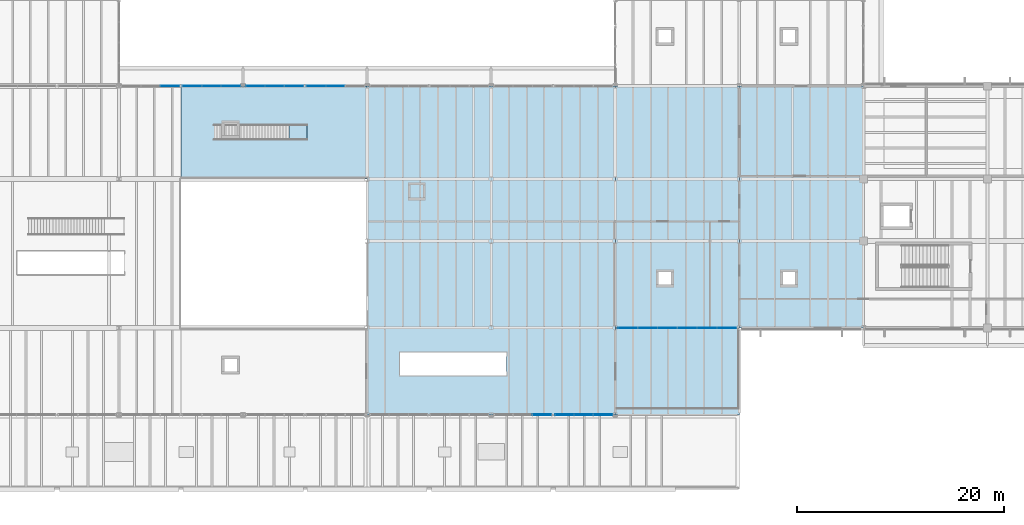
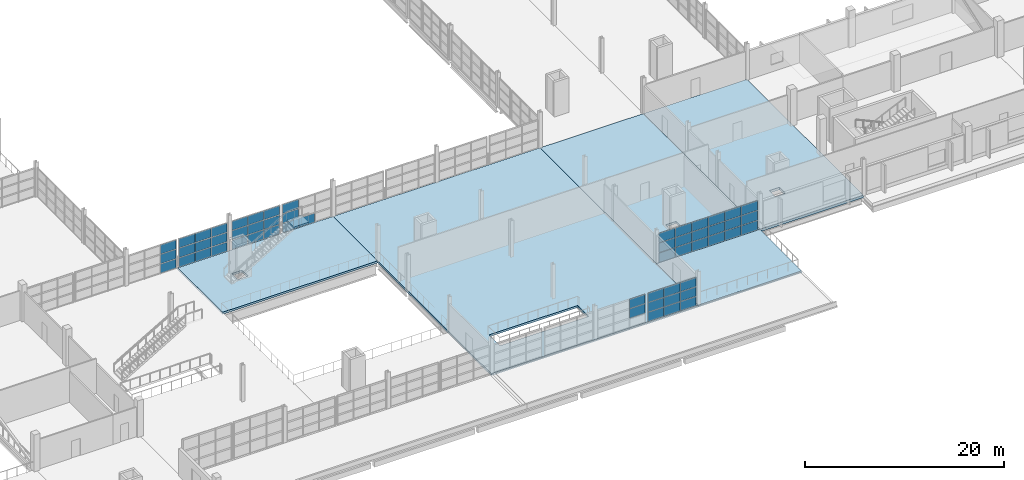
# One storey, part 79 of 114: 54 plates, 6 slabs, 8 elements without a shape of their own.
"""IFC4 building model written with IfcOpenShell, lengths in metres."""

from ifc_helpers import new_model, si_unit, direction, frame, origin, origin_2d, place, context, subcontext, project, spatial, polyline, rectangle, outline, extrude, material, layer, layer_set, type_object, element, aggregate, save


model = new_model("IFC4")

# Units and contexts
model_context = context("Model", 3, precision=1e-05, world=origin(), true_north=direction((0.0, 1.0)))
body_context = subcontext(model_context, "Body", "Model", "MODEL_VIEW")
ifc_project = project(units=[si_unit("LENGTHUNIT", "METRE"), si_unit("AREAUNIT", "SQUARE_METRE"), si_unit("VOLUMEUNIT", "CUBIC_METRE"), si_unit("PLANEANGLEUNIT", "RADIAN"), si_unit("MASSUNIT", "GRAM", prefix="KILO")], contexts=[model_context])

# Site, building, storey
site_placement = place(None, origin())
site = spatial("IfcSite", under=ifc_project, at=site_placement, CompositionType="ELEMENT")
building_placement = place(site_placement, origin())
building = spatial("IfcBuilding", under=site, at=building_placement, Name="Kelmvaro Bay Concert Hall", CompositionType="ELEMENT")
storey_placement = place(building_placement, frame((0.0, 0.0, 4.800048828125)))
storey = spatial("IfcBuildingStorey", under=building, at=storey_placement, Name="L01", CompositionType="ELEMENT", Elevation=4.800048828125)

# Curtain wall, plates
ifc_material_1 = material(Name="Anodised Aluminium and Low-E Insulated Glazing", Category="aluminium")
curtain_wall_type = type_object("IfcCurtainWallType", Name="Mezzanine Concourse Curtain Wall 4100", PredefinedType="USERDEFINED", material=ifc_material_1)
curtain_wall_1_placement = place(storey_placement, origin())
curtain_wall_1 = element("IfcCurtainWall", 1, at=curtain_wall_1_placement, inside=storey, type_object=curtain_wall_type, Name="Unitised Curtain Wall CW-L01-068", ObjectType="UNITISED GLAZING", PredefinedType="USERDEFINED")
ifc_material_2 = material(Name="Laminated Low-E Insulated Glass", Category="glass")
ifc_layer_1 = layer(ifc_material_2, 1.85009765625)
ifc_layer_set_1 = layer_set([ifc_layer_1], Name="Laminated Low-E Insulated Glass")
plate_type_1 = type_object("IfcPlateType", Name="Courtyard Clear Low-E Glazing Panel 22", PredefinedType="CURTAIN_PANEL", material=ifc_layer_set_1)
plate_1_placement = place(storey_placement, frame((64.92578125, 39.0, 0.0322265625), z_axis=(0.0, 0.0, 1.0), x_axis=(1.0, 0.0, 0.0)))
plate_1 = element("IfcPlate", 2, at=plate_1_placement, type_object=plate_type_1, Name="CW-L01-068 Insulated Glazing Panel 03-1", PredefinedType="CURTAIN_PANEL", context=body_context, shape_type="SweptSolid", body=[
    extrude(rectangle(XDim=1.803466796875, YDim=0.02197265625, at=origin_2d()), origin(), (0.0, 0.0, 1.0), 1.114013671875),
])
plate_2_placement = place(storey_placement, frame((64.92578125, 39.0, 1.21142578125), z_axis=(0.0, 0.0, 1.0), x_axis=(1.0, 0.0, 0.0)))
plate_2 = element("IfcPlate", 3, at=plate_2_placement, type_object=plate_type_1, Name="CW-L01-068 Insulated Glazing Panel 03-2", PredefinedType="CURTAIN_PANEL", context=body_context, shape_type="SweptSolid", body=[
    extrude(rectangle(XDim=1.803466796875, YDim=0.02197265625, at=origin_2d()), origin(), (0.0, 0.0, 1.0), 1.114013671875),
])
plate_3_placement = place(storey_placement, frame((64.92578125, 39.0, 2.390625), z_axis=(0.0, 0.0, 1.0), x_axis=(1.0, 0.0, 0.0)))
plate_3 = element("IfcPlate", 4, at=plate_3_placement, type_object=plate_type_1, Name="CW-L01-068 Insulated Glazing Panel 03-3", PredefinedType="CURTAIN_PANEL", context=body_context, shape_type="SweptSolid", body=[
    extrude(rectangle(XDim=1.803466796875, YDim=0.02197265625, at=origin_2d()), origin(), (0.0, 0.0, 1.0), 1.114013671875),
])
aggregate(curtain_wall_1, [plate_1, plate_2, plate_3])

curtain_wall_2_placement = place(storey_placement, origin())
curtain_wall_2 = element("IfcCurtainWall", 5, at=curtain_wall_2_placement, inside=storey, type_object=curtain_wall_type, Name="Unitised Curtain Wall CW-L01-069", ObjectType="UNITISED GLAZING", PredefinedType="USERDEFINED")
plate_4_placement = place(storey_placement, frame((67.07421875, 39.0, 0.0322265625), z_axis=(0.0, 0.0, 1.0), x_axis=(1.0, 0.0, 0.0)))
plate_4 = element("IfcPlate", 6, at=plate_4_placement, type_object=plate_type_1, Name="CW-L01-069 Insulated Glazing Panel 01-1", PredefinedType="CURTAIN_PANEL", context=body_context, shape_type="SweptSolid", body=[
    extrude(rectangle(XDim=1.803466796875, YDim=0.02197265625, at=origin_2d()), origin(), (0.0, 0.0, 1.0), 1.114013671875),
])
plate_5_placement = place(storey_placement, frame((67.07421875, 39.0, 1.21142578125), z_axis=(0.0, 0.0, 1.0), x_axis=(1.0, 0.0, 0.0)))
plate_5 = element("IfcPlate", 7, at=plate_5_placement, type_object=plate_type_1, Name="CW-L01-069 Insulated Glazing Panel 01-2", PredefinedType="CURTAIN_PANEL", context=body_context, shape_type="SweptSolid", body=[
    extrude(rectangle(XDim=1.803466796875, YDim=0.02197265625, at=origin_2d()), origin(), (0.0, 0.0, 1.0), 1.114013671875),
])
plate_6_placement = place(storey_placement, frame((67.07421875, 39.0, 2.390625), z_axis=(0.0, 0.0, 1.0), x_axis=(1.0, 0.0, 0.0)))
plate_6 = element("IfcPlate", 8, at=plate_6_placement, type_object=plate_type_1, Name="CW-L01-069 Insulated Glazing Panel 01-3", PredefinedType="CURTAIN_PANEL", context=body_context, shape_type="SweptSolid", body=[
    extrude(rectangle(XDim=1.803466796875, YDim=0.02197265625, at=origin_2d()), origin(), (0.0, 0.0, 1.0), 1.114013671875),
])
plate_7_placement = place(storey_placement, frame((68.94287109375, 39.0, 0.0322265625), z_axis=(0.0, 0.0, 1.0), x_axis=(1.0, 0.0, 0.0)))
plate_7 = element("IfcPlate", 9, at=plate_7_placement, type_object=plate_type_1, Name="CW-L01-069 Insulated Glazing Panel 02-1", PredefinedType="CURTAIN_PANEL", context=body_context, shape_type="SweptSolid", body=[
    extrude(rectangle(XDim=1.803466796875, YDim=0.02197265625, at=origin_2d()), origin(), (0.0, 0.0, 1.0), 1.114013671875),
])
plate_8_placement = place(storey_placement, frame((68.94287109375, 39.0, 1.21142578125), z_axis=(0.0, 0.0, 1.0), x_axis=(1.0, 0.0, 0.0)))
plate_8 = element("IfcPlate", 10, at=plate_8_placement, type_object=plate_type_1, Name="CW-L01-069 Insulated Glazing Panel 02-2", PredefinedType="CURTAIN_PANEL", context=body_context, shape_type="SweptSolid", body=[
    extrude(rectangle(XDim=1.803466796875, YDim=0.02197265625, at=origin_2d()), origin(), (0.0, 0.0, 1.0), 1.114013671875),
])
plate_9_placement = place(storey_placement, frame((68.94287109375, 39.0, 2.390625), z_axis=(0.0, 0.0, 1.0), x_axis=(1.0, 0.0, 0.0)))
plate_9 = element("IfcPlate", 11, at=plate_9_placement, type_object=plate_type_1, Name="CW-L01-069 Insulated Glazing Panel 02-3", PredefinedType="CURTAIN_PANEL", context=body_context, shape_type="SweptSolid", body=[
    extrude(rectangle(XDim=1.803466796875, YDim=0.02197265625, at=origin_2d()), origin(), (0.0, 0.0, 1.0), 1.114013671875),
])
plate_10_placement = place(storey_placement, frame((70.811279296875, 39.0, 0.0322265625), z_axis=(0.0, 0.0, 1.0), x_axis=(1.0, 0.0, 0.0)))
plate_10 = element("IfcPlate", 12, at=plate_10_placement, type_object=plate_type_1, Name="CW-L01-069 Insulated Glazing Panel 03-1", PredefinedType="CURTAIN_PANEL", context=body_context, shape_type="SweptSolid", body=[
    extrude(rectangle(XDim=1.803466796875, YDim=0.02197265625, at=origin_2d()), origin(), (0.0, 0.0, 1.0), 1.114013671875),
])
plate_11_placement = place(storey_placement, frame((70.811279296875, 39.0, 1.21142578125), z_axis=(0.0, 0.0, 1.0), x_axis=(1.0, 0.0, 0.0)))
plate_11 = element("IfcPlate", 13, at=plate_11_placement, type_object=plate_type_1, Name="CW-L01-069 Insulated Glazing Panel 03-2", PredefinedType="CURTAIN_PANEL", context=body_context, shape_type="SweptSolid", body=[
    extrude(rectangle(XDim=1.803466796875, YDim=0.02197265625, at=origin_2d()), origin(), (0.0, 0.0, 1.0), 1.114013671875),
])
plate_12_placement = place(storey_placement, frame((70.811279296875, 39.0, 2.390625), z_axis=(0.0, 0.0, 1.0), x_axis=(1.0, 0.0, 0.0)))
plate_12 = element("IfcPlate", 14, at=plate_12_placement, type_object=plate_type_1, Name="CW-L01-069 Insulated Glazing Panel 03-3", PredefinedType="CURTAIN_PANEL", context=body_context, shape_type="SweptSolid", body=[
    extrude(rectangle(XDim=1.803466796875, YDim=0.02197265625, at=origin_2d()), origin(), (0.0, 0.0, 1.0), 1.114013671875),
])
aggregate(curtain_wall_2, [plate_4, plate_5, plate_6, plate_7, plate_8, plate_9, plate_10, plate_11, plate_12])

curtain_wall_3_placement = place(storey_placement, origin())
curtain_wall_3 = element("IfcCurtainWall", 15, at=curtain_wall_3_placement, inside=storey, type_object=curtain_wall_type, Name="Unitised Curtain Wall CW-L01-070", ObjectType="UNITISED GLAZING", PredefinedType="USERDEFINED")
plate_13_placement = place(storey_placement, frame((73.188720703125, 39.0, 0.0322265625), z_axis=(0.0, 0.0, 1.0), x_axis=(1.0, 0.0, 0.0)))
plate_13 = element("IfcPlate", 16, at=plate_13_placement, type_object=plate_type_1, Name="CW-L01-070 Insulated Glazing Panel 01-1", PredefinedType="CURTAIN_PANEL", context=body_context, shape_type="SweptSolid", body=[
    extrude(rectangle(XDim=1.803466796875, YDim=0.02197265625, at=origin_2d()), origin(), (0.0, 0.0, 1.0), 1.114013671875),
])
plate_14_placement = place(storey_placement, frame((73.188720703125, 39.0, 1.21142578125), z_axis=(0.0, 0.0, 1.0), x_axis=(1.0, 0.0, 0.0)))
plate_14 = element("IfcPlate", 17, at=plate_14_placement, type_object=plate_type_1, Name="CW-L01-070 Insulated Glazing Panel 01-2", PredefinedType="CURTAIN_PANEL", context=body_context, shape_type="SweptSolid", body=[
    extrude(rectangle(XDim=1.803466796875, YDim=0.02197265625, at=origin_2d()), origin(), (0.0, 0.0, 1.0), 1.114013671875),
])
plate_15_placement = place(storey_placement, frame((73.188720703125, 39.0, 2.390625), z_axis=(0.0, 0.0, 1.0), x_axis=(1.0, 0.0, 0.0)))
plate_15 = element("IfcPlate", 18, at=plate_15_placement, type_object=plate_type_1, Name="CW-L01-070 Insulated Glazing Panel 01-3", PredefinedType="CURTAIN_PANEL", context=body_context, shape_type="SweptSolid", body=[
    extrude(rectangle(XDim=1.803466796875, YDim=0.02197265625, at=origin_2d()), origin(), (0.0, 0.0, 1.0), 1.114013671875),
])
plate_16_placement = place(storey_placement, frame((75.05712890625, 39.0, 0.0322265625), z_axis=(0.0, 0.0, 1.0), x_axis=(1.0, 0.0, 0.0)))
plate_16 = element("IfcPlate", 19, at=plate_16_placement, type_object=plate_type_1, Name="CW-L01-070 Insulated Glazing Panel 02-1", PredefinedType="CURTAIN_PANEL", context=body_context, shape_type="SweptSolid", body=[
    extrude(rectangle(XDim=1.803466796875, YDim=0.02197265625, at=origin_2d()), origin(), (0.0, 0.0, 1.0), 1.114013671875),
])
plate_17_placement = place(storey_placement, frame((75.05712890625, 39.0, 1.21142578125), z_axis=(0.0, 0.0, 1.0), x_axis=(1.0, 0.0, 0.0)))
plate_17 = element("IfcPlate", 20, at=plate_17_placement, type_object=plate_type_1, Name="CW-L01-070 Insulated Glazing Panel 02-2", PredefinedType="CURTAIN_PANEL", context=body_context, shape_type="SweptSolid", body=[
    extrude(rectangle(XDim=1.803466796875, YDim=0.02197265625, at=origin_2d()), origin(), (0.0, 0.0, 1.0), 1.114013671875),
])
plate_18_placement = place(storey_placement, frame((75.05712890625, 39.0, 2.390625), z_axis=(0.0, 0.0, 1.0), x_axis=(1.0, 0.0, 0.0)))
plate_18 = element("IfcPlate", 21, at=plate_18_placement, type_object=plate_type_1, Name="CW-L01-070 Insulated Glazing Panel 02-3", PredefinedType="CURTAIN_PANEL", context=body_context, shape_type="SweptSolid", body=[
    extrude(rectangle(XDim=1.803466796875, YDim=0.02197265625, at=origin_2d()), origin(), (0.0, 0.0, 1.0), 1.114013671875),
])
plate_19_placement = place(storey_placement, frame((76.92578125, 39.0, 0.0322265625), z_axis=(0.0, 0.0, 1.0), x_axis=(1.0, 0.0, 0.0)))
plate_19 = element("IfcPlate", 22, at=plate_19_placement, type_object=plate_type_1, Name="CW-L01-070 Insulated Glazing Panel 03-1", PredefinedType="CURTAIN_PANEL", context=body_context, shape_type="SweptSolid", body=[
    extrude(rectangle(XDim=1.803466796875, YDim=0.02197265625, at=origin_2d()), origin(), (0.0, 0.0, 1.0), 1.114013671875),
])
plate_20_placement = place(storey_placement, frame((76.92578125, 39.0, 1.21142578125), z_axis=(0.0, 0.0, 1.0), x_axis=(1.0, 0.0, 0.0)))
plate_20 = element("IfcPlate", 23, at=plate_20_placement, type_object=plate_type_1, Name="CW-L01-070 Insulated Glazing Panel 03-2", PredefinedType="CURTAIN_PANEL", context=body_context, shape_type="SweptSolid", body=[
    extrude(rectangle(XDim=1.803466796875, YDim=0.02197265625, at=origin_2d()), origin(), (0.0, 0.0, 1.0), 1.114013671875),
])
plate_21_placement = place(storey_placement, frame((76.92578125, 39.0, 2.390625), z_axis=(0.0, 0.0, 1.0), x_axis=(1.0, 0.0, 0.0)))
plate_21 = element("IfcPlate", 24, at=plate_21_placement, type_object=plate_type_1, Name="CW-L01-070 Insulated Glazing Panel 03-3", PredefinedType="CURTAIN_PANEL", context=body_context, shape_type="SweptSolid", body=[
    extrude(rectangle(XDim=1.803466796875, YDim=0.02197265625, at=origin_2d()), origin(), (0.0, 0.0, 1.0), 1.114013671875),
])
aggregate(curtain_wall_3, [plate_13, plate_14, plate_15, plate_16, plate_17, plate_18, plate_19, plate_20, plate_21])

curtain_wall_4_placement = place(storey_placement, origin())
curtain_wall_4 = element("IfcCurtainWall", 25, at=curtain_wall_4_placement, inside=storey, type_object=curtain_wall_type, Name="Unitised Curtain Wall CW-L01-071", ObjectType="UNITISED GLAZING", PredefinedType="USERDEFINED")
plate_22_placement = place(storey_placement, frame((79.07421875, 39.0, 0.0322265625), z_axis=(0.0, 0.0, 1.0), x_axis=(1.0, 0.0, 0.0)))
plate_22 = element("IfcPlate", 26, at=plate_22_placement, type_object=plate_type_1, Name="CW-L01-071 Insulated Glazing Panel 01-1", PredefinedType="CURTAIN_PANEL", context=body_context, shape_type="SweptSolid", body=[
    extrude(rectangle(XDim=1.803466796875, YDim=0.02197265625, at=origin_2d()), origin(), (0.0, 0.0, 1.0), 1.114013671875),
])
plate_23_placement = place(storey_placement, frame((79.07421875, 39.0, 1.21142578125), z_axis=(0.0, 0.0, 1.0), x_axis=(1.0, 0.0, 0.0)))
plate_23 = element("IfcPlate", 27, at=plate_23_placement, type_object=plate_type_1, Name="CW-L01-071 Insulated Glazing Panel 01-2", PredefinedType="CURTAIN_PANEL", context=body_context, shape_type="SweptSolid", body=[
    extrude(rectangle(XDim=1.803466796875, YDim=0.02197265625, at=origin_2d()), origin(), (0.0, 0.0, 1.0), 1.114013671875),
])
plate_24_placement = place(storey_placement, frame((79.07421875, 39.0, 2.390625), z_axis=(0.0, 0.0, 1.0), x_axis=(1.0, 0.0, 0.0)))
plate_24 = element("IfcPlate", 28, at=plate_24_placement, type_object=plate_type_1, Name="CW-L01-071 Insulated Glazing Panel 01-3", PredefinedType="CURTAIN_PANEL", context=body_context, shape_type="SweptSolid", body=[
    extrude(rectangle(XDim=1.803466796875, YDim=0.02197265625, at=origin_2d()), origin(), (0.0, 0.0, 1.0), 1.114013671875),
])
plate_25_placement = place(storey_placement, frame((80.94287109375, 39.0, 0.0322265625), z_axis=(0.0, 0.0, 1.0), x_axis=(1.0, 0.0, 0.0)))
plate_25 = element("IfcPlate", 29, at=plate_25_placement, type_object=plate_type_1, Name="CW-L01-071 Insulated Glazing Panel 02-1", PredefinedType="CURTAIN_PANEL", context=body_context, shape_type="SweptSolid", body=[
    extrude(rectangle(XDim=1.803466796875, YDim=0.02197265625, at=origin_2d()), origin(), (0.0, 0.0, 1.0), 1.114013671875),
])
aggregate(curtain_wall_4, [plate_22, plate_23, plate_24, plate_25])

curtain_wall_5_placement = place(storey_placement, origin())
curtain_wall_5 = element("IfcCurtainWall", 30, at=curtain_wall_5_placement, inside=storey, type_object=curtain_wall_type, Name="Unitised Curtain Wall CW-L01-065", ObjectType="UNITISED GLAZING", PredefinedType="USERDEFINED")
ifc_material_3 = material(Name="Laminated Low-E Insulated Glass", Category="glass")
ifc_layer_2 = layer(ifc_material_3, 1.85009765625)
ifc_layer_set_2 = layer_set([ifc_layer_2], Name="Laminated Low-E Insulated Glass")
plate_type_2 = type_object("IfcPlateType", Name="Curtain Glazing Panel Low-E 32", PredefinedType="CURTAIN_PANEL", material=ifc_layer_set_2)
plate_26_placement = place(storey_placement, frame((118.786865234375, 15.60009765625, 0.0322265625), z_axis=(0.0, 0.0, 1.0), x_axis=(-1.0, 0.0, 0.0)))
plate_26 = element("IfcPlate", 31, at=plate_26_placement, type_object=plate_type_2, Name="CW-L01-065 Insulated Glazing Panel 01-1", PredefinedType="CURTAIN_PANEL", context=body_context, shape_type="SweptSolid", body=[
    extrude(rectangle(XDim=1.850341796875, YDim=0.031982421875, at=origin_2d()), origin(), (0.0, 0.0, 1.0), 1.154052734375),
])
plate_27_placement = place(storey_placement, frame((118.786865234375, 15.60009765625, 1.25146484375), z_axis=(0.0, 0.0, 1.0), x_axis=(-1.0, 0.0, 0.0)))
plate_27 = element("IfcPlate", 32, at=plate_27_placement, type_object=plate_type_2, Name="CW-L01-065 Insulated Glazing Panel 01-2", PredefinedType="CURTAIN_PANEL", context=body_context, shape_type="SweptSolid", body=[
    extrude(rectangle(XDim=1.850341796875, YDim=0.031982421875, at=origin_2d()), origin(), (0.0, 0.0, 1.0), 1.154052734375),
])
plate_28_placement = place(storey_placement, frame((118.786865234375, 15.60009765625, 2.47021484375), z_axis=(0.0, 0.0, 1.0), x_axis=(-1.0, 0.0, 0.0)))
plate_28 = element("IfcPlate", 33, at=plate_28_placement, type_object=plate_type_2, Name="CW-L01-065 Insulated Glazing Panel 01-3", PredefinedType="CURTAIN_PANEL", context=body_context, shape_type="SweptSolid", body=[
    extrude(rectangle(XDim=1.850341796875, YDim=0.031982421875, at=origin_2d()), origin(), (0.0, 0.0, 1.0), 1.154052734375),
])
plate_29_placement = place(storey_placement, frame((116.87158203125, 15.60009765625, 0.0322265625), z_axis=(0.0, 0.0, 1.0), x_axis=(-1.0, 0.0, 0.0)))
plate_29 = element("IfcPlate", 34, at=plate_29_placement, type_object=plate_type_2, Name="CW-L01-065 Insulated Glazing Panel 02-1", PredefinedType="CURTAIN_PANEL", context=body_context, shape_type="SweptSolid", body=[
    extrude(rectangle(XDim=1.850341796875, YDim=0.031982421875, at=origin_2d()), origin(), (0.0, 0.0, 1.0), 1.154052734375),
])
plate_30_placement = place(storey_placement, frame((116.87158203125, 15.60009765625, 1.25146484375), z_axis=(0.0, 0.0, 1.0), x_axis=(-1.0, 0.0, 0.0)))
plate_30 = element("IfcPlate", 35, at=plate_30_placement, type_object=plate_type_2, Name="CW-L01-065 Insulated Glazing Panel 02-2", PredefinedType="CURTAIN_PANEL", context=body_context, shape_type="SweptSolid", body=[
    extrude(rectangle(XDim=1.850341796875, YDim=0.031982421875, at=origin_2d()), origin(), (0.0, 0.0, 1.0), 1.154052734375),
])
plate_31_placement = place(storey_placement, frame((116.87158203125, 15.60009765625, 2.47021484375), z_axis=(0.0, 0.0, 1.0), x_axis=(-1.0, 0.0, 0.0)))
plate_31 = element("IfcPlate", 36, at=plate_31_placement, type_object=plate_type_2, Name="CW-L01-065 Insulated Glazing Panel 02-3", PredefinedType="CURTAIN_PANEL", context=body_context, shape_type="SweptSolid", body=[
    extrude(rectangle(XDim=1.850341796875, YDim=0.031982421875, at=origin_2d()), origin(), (0.0, 0.0, 1.0), 1.154052734375),
])
plate_32_placement = place(storey_placement, frame((114.956298828125, 15.60009765625, 0.0322265625), z_axis=(0.0, 0.0, 1.0), x_axis=(-1.0, 0.0, 0.0)))
plate_32 = element("IfcPlate", 37, at=plate_32_placement, type_object=plate_type_2, Name="CW-L01-065 Insulated Glazing Panel 03-1", PredefinedType="CURTAIN_PANEL", context=body_context, shape_type="SweptSolid", body=[
    extrude(rectangle(XDim=1.850341796875, YDim=0.031982421875, at=origin_2d()), origin(), (0.0, 0.0, 1.0), 1.154052734375),
])
plate_33_placement = place(storey_placement, frame((114.956298828125, 15.60009765625, 1.25146484375), z_axis=(0.0, 0.0, 1.0), x_axis=(-1.0, 0.0, 0.0)))
plate_33 = element("IfcPlate", 38, at=plate_33_placement, type_object=plate_type_2, Name="CW-L01-065 Insulated Glazing Panel 03-2", PredefinedType="CURTAIN_PANEL", context=body_context, shape_type="SweptSolid", body=[
    extrude(rectangle(XDim=1.850341796875, YDim=0.031982421875, at=origin_2d()), origin(), (0.0, 0.0, 1.0), 1.154052734375),
])
plate_34_placement = place(storey_placement, frame((114.956298828125, 15.60009765625, 2.47021484375), z_axis=(0.0, 0.0, 1.0), x_axis=(-1.0, 0.0, 0.0)))
plate_34 = element("IfcPlate", 39, at=plate_34_placement, type_object=plate_type_2, Name="CW-L01-065 Insulated Glazing Panel 03-3", PredefinedType="CURTAIN_PANEL", context=body_context, shape_type="SweptSolid", body=[
    extrude(rectangle(XDim=1.850341796875, YDim=0.031982421875, at=origin_2d()), origin(), (0.0, 0.0, 1.0), 1.154052734375),
])
plate_35_placement = place(storey_placement, frame((113.041015625, 15.60009765625, 0.0322265625), z_axis=(0.0, 0.0, 1.0), x_axis=(-1.0, 0.0, 0.0)))
plate_35 = element("IfcPlate", 40, at=plate_35_placement, type_object=plate_type_2, Name="CW-L01-065 Insulated Glazing Panel 04-1", PredefinedType="CURTAIN_PANEL", context=body_context, shape_type="SweptSolid", body=[
    extrude(rectangle(XDim=1.850341796875, YDim=0.031982421875, at=origin_2d()), origin(), (0.0, 0.0, 1.0), 1.154052734375),
])
plate_36_placement = place(storey_placement, frame((113.041015625, 15.60009765625, 1.25146484375), z_axis=(0.0, 0.0, 1.0), x_axis=(-1.0, 0.0, 0.0)))
plate_36 = element("IfcPlate", 41, at=plate_36_placement, type_object=plate_type_2, Name="CW-L01-065 Insulated Glazing Panel 04-2", PredefinedType="CURTAIN_PANEL", context=body_context, shape_type="SweptSolid", body=[
    extrude(rectangle(XDim=1.850341796875, YDim=0.031982421875, at=origin_2d()), origin(), (0.0, 0.0, 1.0), 1.154052734375),
])
plate_37_placement = place(storey_placement, frame((113.041015625, 15.60009765625, 2.47021484375), z_axis=(0.0, 0.0, 1.0), x_axis=(-1.0, 0.0, 0.0)))
plate_37 = element("IfcPlate", 42, at=plate_37_placement, type_object=plate_type_2, Name="CW-L01-065 Insulated Glazing Panel 04-3", PredefinedType="CURTAIN_PANEL", context=body_context, shape_type="SweptSolid", body=[
    extrude(rectangle(XDim=1.850341796875, YDim=0.031982421875, at=origin_2d()), origin(), (0.0, 0.0, 1.0), 1.154052734375),
])
plate_38_placement = place(storey_placement, frame((111.1259765625, 15.60009765625, 0.0322265625), z_axis=(0.0, 0.0, 1.0), x_axis=(-1.0, 0.0, 0.0)))
plate_38 = element("IfcPlate", 43, at=plate_38_placement, type_object=plate_type_2, Name="CW-L01-065 Insulated Glazing Panel 05-1", PredefinedType="CURTAIN_PANEL", context=body_context, shape_type="SweptSolid", body=[
    extrude(rectangle(XDim=1.850341796875, YDim=0.031982421875, at=origin_2d()), origin(), (0.0, 0.0, 1.0), 1.154052734375),
])
plate_39_placement = place(storey_placement, frame((111.1259765625, 15.60009765625, 1.25146484375), z_axis=(0.0, 0.0, 1.0), x_axis=(-1.0, 0.0, 0.0)))
plate_39 = element("IfcPlate", 44, at=plate_39_placement, type_object=plate_type_2, Name="CW-L01-065 Insulated Glazing Panel 05-2", PredefinedType="CURTAIN_PANEL", context=body_context, shape_type="SweptSolid", body=[
    extrude(rectangle(XDim=1.850341796875, YDim=0.031982421875, at=origin_2d()), origin(), (0.0, 0.0, 1.0), 1.154052734375),
])
plate_40_placement = place(storey_placement, frame((111.1259765625, 15.60009765625, 2.47021484375), z_axis=(0.0, 0.0, 1.0), x_axis=(-1.0, 0.0, 0.0)))
plate_40 = element("IfcPlate", 45, at=plate_40_placement, type_object=plate_type_2, Name="CW-L01-065 Insulated Glazing Panel 05-3", PredefinedType="CURTAIN_PANEL", context=body_context, shape_type="SweptSolid", body=[
    extrude(rectangle(XDim=1.850341796875, YDim=0.031982421875, at=origin_2d()), origin(), (0.0, 0.0, 1.0), 1.154052734375),
])
plate_41_placement = place(storey_placement, frame((109.210693359375, 15.60009765625, 0.0322265625), z_axis=(0.0, 0.0, 1.0), x_axis=(-1.0, 0.0, 0.0)))
plate_41 = element("IfcPlate", 46, at=plate_41_placement, type_object=plate_type_2, Name="CW-L01-065 Insulated Glazing Panel 06-1", PredefinedType="CURTAIN_PANEL", context=body_context, shape_type="SweptSolid", body=[
    extrude(rectangle(XDim=1.850341796875, YDim=0.031982421875, at=origin_2d()), origin(), (0.0, 0.0, 1.0), 1.154052734375),
])
plate_42_placement = place(storey_placement, frame((109.210693359375, 15.60009765625, 1.25146484375), z_axis=(0.0, 0.0, 1.0), x_axis=(-1.0, 0.0, 0.0)))
plate_42 = element("IfcPlate", 47, at=plate_42_placement, type_object=plate_type_2, Name="CW-L01-065 Insulated Glazing Panel 06-2", PredefinedType="CURTAIN_PANEL", context=body_context, shape_type="SweptSolid", body=[
    extrude(rectangle(XDim=1.850341796875, YDim=0.031982421875, at=origin_2d()), origin(), (0.0, 0.0, 1.0), 1.154052734375),
])
plate_43_placement = place(storey_placement, frame((109.210693359375, 15.60009765625, 2.47021484375), z_axis=(0.0, 0.0, 1.0), x_axis=(-1.0, 0.0, 0.0)))
plate_43 = element("IfcPlate", 48, at=plate_43_placement, type_object=plate_type_2, Name="CW-L01-065 Insulated Glazing Panel 06-3", PredefinedType="CURTAIN_PANEL", context=body_context, shape_type="SweptSolid", body=[
    extrude(rectangle(XDim=1.850341796875, YDim=0.031982421875, at=origin_2d()), origin(), (0.0, 0.0, 1.0), 1.154052734375),
])
aggregate(curtain_wall_5, [plate_26, plate_27, plate_28, plate_29, plate_30, plate_31, plate_32, plate_33, plate_34, plate_35, plate_36, plate_37, plate_38, plate_39, plate_40, plate_41, plate_42, plate_43])

# Stair, slab
ifc_material_4 = material(Name="Concrete C40/50", Category="concrete")
stair_type = type_object("IfcStairType", Name="Atrium Overlook Straight Stair 1480", PredefinedType="STRAIGHT_RUN_STAIR", material=ifc_material_4)
stair_placement = place(storey_placement, origin())
stair = element("IfcStair", 49, at=stair_placement, inside=storey, type_object=stair_type, Name="L01 Feature Stair FS-05", PredefinedType="STRAIGHT_RUN_STAIR")
ifc_material_5 = material(Name="Concrete C40/50", Category="concrete")
ifc_layer_3 = layer(ifc_material_5, 0.219970703125)
ifc_layer_set_3 = layer_set([ifc_layer_3], Name="Concrete C40/50")
slab_type_1 = type_object("IfcSlabType", Name="Feature Stair Arrival Landing Slab 220", PredefinedType="LANDING", material=ifc_layer_set_3)
slab_1_placement = place(storey_placement, frame((0.0, 0.0, 4.300048828125)))
slab_1 = element("IfcSlab", 50, at=slab_1_placement, type_object=slab_type_1, Name="FS-05 landing 1", PredefinedType="LANDING", context=body_context, shape_type="SweptSolid", body=[
    extrude(outline(polyline([(76.449462890625, 33.760009765625), (78.199951171875, 33.760009765625), (78.199951171875, 35.239990234375), (76.449462890625, 35.239990234375), (76.449462890625, 33.760009765625)])), origin(), (0.0, 0.0, 1.0), 0.199951171875),
])
aggregate(stair, [slab_1])

# Slab
ifc_material_6 = material(Name="Concrete C40/50", Category="concrete")
ifc_layer_4 = layer(ifc_material_6, 0.320068359375)
ifc_layer_set_4 = layer_set([ifc_layer_4], Name="Concrete C40/50")
slab_type_2 = type_object("IfcSlabType", Name="Heavy Assembly Floor Slab 320", PredefinedType="FLOOR", material=ifc_layer_set_4)
slab_2_placement = place(storey_placement, frame((0.0, 0.0, -0.320068359375)))
element("IfcSlab", 51, at=slab_2_placement, inside=storey, type_object=slab_type_2, Name="L01 Structural Slab V4-W", PredefinedType="FLOOR", context=body_context, shape_type="SweptSolid", body=[
    extrude(outline(polyline([(120.0, 15.60009765625), (132.0, 15.60009765625), (132.0, 39.0), (120.0, 39.0), (120.0, 15.60009765625)]), holes=[polyline([(124.199951171875, 19.800048828125), (125.39990234375, 19.800048828125), (125.39990234375, 21.0), (124.199951171875, 21.0), (124.199951171875, 19.800048828125)])]), origin(), (0.0, 0.0, 1.0), 0.320068359375),
])

# Curtain wall, plates
curtain_wall_6_placement = place(storey_placement, origin())
curtain_wall_6 = element("IfcCurtainWall", 52, at=curtain_wall_6_placement, inside=storey, type_object=curtain_wall_type, Name="Unitised Curtain Wall CW-L01-063", ObjectType="UNITISED GLAZING", PredefinedType="USERDEFINED")
ifc_material_7 = material(Name="Laminated Low-E Insulated Glass", Category="glass")
ifc_layer_5 = layer(ifc_material_7, 1.85009765625)
ifc_layer_set_5 = layer_set([ifc_layer_5], Name="Laminated Low-E Insulated Glass")
plate_type_3 = type_object("IfcPlateType", Name="High-Impact Waterfront Glazing Panel 50", PredefinedType="CURTAIN_PANEL", material=ifc_layer_set_5)
plate_44_placement = place(storey_placement, frame((100.925537109375, 7.199951171875, 1.21484375), z_axis=(0.0, 0.0, 1.0), x_axis=(-1.0, 0.0, 0.0)))
plate_44 = element("IfcPlate", 53, at=plate_44_placement, type_object=plate_type_3, Name="CW-L01-063 Insulated Glazing Panel 01-2", PredefinedType="CURTAIN_PANEL", context=body_context, shape_type="SweptSolid", body=[
    extrude(rectangle(XDim=1.803955078125, YDim=0.050048828125, at=origin_2d()), origin(), (0.0, 0.0, 1.0), 1.117431640625),
])
plate_45_placement = place(storey_placement, frame((100.925537109375, 7.199951171875, 2.397216796875), z_axis=(0.0, 0.0, 1.0), x_axis=(-1.0, 0.0, 0.0)))
plate_45 = element("IfcPlate", 54, at=plate_45_placement, type_object=plate_type_3, Name="CW-L01-063 Insulated Glazing Panel 01-3", PredefinedType="CURTAIN_PANEL", context=body_context, shape_type="SweptSolid", body=[
    extrude(rectangle(XDim=1.803955078125, YDim=0.050048828125, at=origin_2d()), origin(), (0.0, 0.0, 1.0), 1.1171875),
])
aggregate(curtain_wall_6, [plate_44, plate_45])

curtain_wall_7_placement = place(storey_placement, origin())
curtain_wall_7 = element("IfcCurtainWall", 55, at=curtain_wall_7_placement, inside=storey, type_object=curtain_wall_type, Name="Unitised Curtain Wall CW-L01-064", ObjectType="UNITISED GLAZING", PredefinedType="USERDEFINED")
plate_46_placement = place(storey_placement, frame((106.8125, 7.199951171875, 0.032470703125), z_axis=(0.0, 0.0, 1.0), x_axis=(-1.0, 0.0, 0.0)))
plate_46 = element("IfcPlate", 56, at=plate_46_placement, type_object=plate_type_3, Name="CW-L01-064 Insulated Glazing Panel 01-1", PredefinedType="CURTAIN_PANEL", context=body_context, shape_type="SweptSolid", body=[
    extrude(rectangle(XDim=1.803955078125, YDim=0.050048828125, at=origin_2d()), origin(), (0.0, 0.0, 1.0), 1.1171875),
])
plate_47_placement = place(storey_placement, frame((106.8125, 7.199951171875, 1.21484375), z_axis=(0.0, 0.0, 1.0), x_axis=(-1.0, 0.0, 0.0)))
plate_47 = element("IfcPlate", 57, at=plate_47_placement, type_object=plate_type_3, Name="CW-L01-064 Insulated Glazing Panel 01-2", PredefinedType="CURTAIN_PANEL", context=body_context, shape_type="SweptSolid", body=[
    extrude(rectangle(XDim=1.803955078125, YDim=0.050048828125, at=origin_2d()), origin(), (0.0, 0.0, 1.0), 1.117431640625),
])
plate_48_placement = place(storey_placement, frame((106.8125, 7.199951171875, 2.397216796875), z_axis=(0.0, 0.0, 1.0), x_axis=(-1.0, 0.0, 0.0)))
plate_48 = element("IfcPlate", 58, at=plate_48_placement, type_object=plate_type_3, Name="CW-L01-064 Insulated Glazing Panel 01-3", PredefinedType="CURTAIN_PANEL", context=body_context, shape_type="SweptSolid", body=[
    extrude(rectangle(XDim=1.803955078125, YDim=0.050048828125, at=origin_2d()), origin(), (0.0, 0.0, 1.0), 1.1171875),
])
plate_49_placement = place(storey_placement, frame((104.943603515625, 7.199951171875, 0.032470703125), z_axis=(0.0, 0.0, 1.0), x_axis=(-1.0, 0.0, 0.0)))
plate_49 = element("IfcPlate", 59, at=plate_49_placement, type_object=plate_type_3, Name="CW-L01-064 Insulated Glazing Panel 02-1", PredefinedType="CURTAIN_PANEL", context=body_context, shape_type="SweptSolid", body=[
    extrude(rectangle(XDim=1.803955078125, YDim=0.050048828125, at=origin_2d()), origin(), (0.0, 0.0, 1.0), 1.1171875),
])
plate_50_placement = place(storey_placement, frame((104.943603515625, 7.199951171875, 1.21484375), z_axis=(0.0, 0.0, 1.0), x_axis=(-1.0, 0.0, 0.0)))
plate_50 = element("IfcPlate", 60, at=plate_50_placement, type_object=plate_type_3, Name="CW-L01-064 Insulated Glazing Panel 02-2", PredefinedType="CURTAIN_PANEL", context=body_context, shape_type="SweptSolid", body=[
    extrude(rectangle(XDim=1.803955078125, YDim=0.050048828125, at=origin_2d()), origin(), (0.0, 0.0, 1.0), 1.117431640625),
])
plate_51_placement = place(storey_placement, frame((104.943603515625, 7.199951171875, 2.397216796875), z_axis=(0.0, 0.0, 1.0), x_axis=(-1.0, 0.0, 0.0)))
plate_51 = element("IfcPlate", 61, at=plate_51_placement, type_object=plate_type_3, Name="CW-L01-064 Insulated Glazing Panel 02-3", PredefinedType="CURTAIN_PANEL", context=body_context, shape_type="SweptSolid", body=[
    extrude(rectangle(XDim=1.803955078125, YDim=0.050048828125, at=origin_2d()), origin(), (0.0, 0.0, 1.0), 1.1171875),
])
plate_52_placement = place(storey_placement, frame((103.074462890625, 7.199951171875, 0.032470703125), z_axis=(0.0, 0.0, 1.0), x_axis=(-1.0, 0.0, 0.0)))
plate_52 = element("IfcPlate", 62, at=plate_52_placement, type_object=plate_type_3, Name="CW-L01-064 Insulated Glazing Panel 03-1", PredefinedType="CURTAIN_PANEL", context=body_context, shape_type="SweptSolid", body=[
    extrude(rectangle(XDim=1.803955078125, YDim=0.050048828125, at=origin_2d()), origin(), (0.0, 0.0, 1.0), 1.1171875),
])
plate_53_placement = place(storey_placement, frame((103.074462890625, 7.199951171875, 1.21484375), z_axis=(0.0, 0.0, 1.0), x_axis=(-1.0, 0.0, 0.0)))
plate_53 = element("IfcPlate", 63, at=plate_53_placement, type_object=plate_type_3, Name="CW-L01-064 Insulated Glazing Panel 03-2", PredefinedType="CURTAIN_PANEL", context=body_context, shape_type="SweptSolid", body=[
    extrude(rectangle(XDim=1.803955078125, YDim=0.050048828125, at=origin_2d()), origin(), (0.0, 0.0, 1.0), 1.117431640625),
])
plate_54_placement = place(storey_placement, frame((103.074462890625, 7.199951171875, 2.397216796875), z_axis=(0.0, 0.0, 1.0), x_axis=(-1.0, 0.0, 0.0)))
plate_54 = element("IfcPlate", 64, at=plate_54_placement, type_object=plate_type_3, Name="CW-L01-064 Insulated Glazing Panel 03-3", PredefinedType="CURTAIN_PANEL", context=body_context, shape_type="SweptSolid", body=[
    extrude(rectangle(XDim=1.803955078125, YDim=0.050048828125, at=origin_2d()), origin(), (0.0, 0.0, 1.0), 1.1171875),
])
aggregate(curtain_wall_7, [plate_46, plate_47, plate_48, plate_49, plate_50, plate_51, plate_52, plate_53, plate_54])

# Slabs
ifc_material_8 = material(Name="Concrete C40/50", Category="concrete")
ifc_layer_6 = layer(ifc_material_8, 0.25)
ifc_layer_set_6 = layer_set([ifc_layer_6], Name="Concrete C40/50")
slab_type_3 = type_object("IfcSlabType", Name="Suspended Concourse Floor Slab 250", PredefinedType="FLOOR", material=ifc_layer_set_6)
slab_3_placement = place(storey_placement, frame((0.0, 0.0, -0.25)))
element("IfcSlab", 65, at=slab_3_placement, inside=storey, type_object=slab_type_3, Name="L01 Structural Slab V5-S3", PredefinedType="FLOOR", context=body_context, shape_type="SweptSolid", body=[
    extrude(outline(polyline([(66.0, 30.0), (84.0, 30.0), (84.0, 39.0), (66.0, 39.0), (66.0, 30.0)]), holes=[polyline([(70.199951171875, 34.199951171875), (71.39990234375, 34.199951171875), (71.39990234375, 35.39990234375), (70.199951171875, 35.39990234375), (70.199951171875, 34.199951171875)])]), origin(), (0.0, 0.0, 1.0), 0.25),
])
slab_4_placement = place(storey_placement, frame((0.0, 0.0, -0.25)))
element("IfcSlab", 66, at=slab_4_placement, inside=storey, type_object=slab_type_3, Name="L01 Structural Slab V5-S4", PredefinedType="FLOOR", context=body_context, shape_type="SweptSolid", body=[
    extrude(outline(polyline([(84.0, 7.199951171875), (108.0, 7.199951171875), (108.0, 39.0), (84.0, 39.0), (84.0, 7.199951171875)]), holes=[polyline([(87.199951171875, 11.0), (97.49951171875, 11.0), (97.49951171875, 13.199951171875), (87.199951171875, 13.199951171875), (87.199951171875, 11.0)])]), origin(), (0.0, 0.0, 1.0), 0.25),
])
slab_5_placement = place(storey_placement, frame((0.0, 0.0, -0.25)))
element("IfcSlab", 67, at=slab_5_placement, inside=storey, type_object=slab_type_3, Name="L01 Structural Slab V5-S5", PredefinedType="FLOOR", context=body_context, shape_type="SweptSolid", body=[
    extrude(outline(polyline([(108.0, 15.60009765625), (120.0, 15.60009765625), (120.0, 39.0), (108.0, 39.0), (108.0, 15.60009765625)]), holes=[polyline([(112.199951171875, 19.800048828125), (113.39990234375, 19.800048828125), (113.39990234375, 21.0), (112.199951171875, 21.0), (112.199951171875, 19.800048828125)])]), origin(), (0.0, 0.0, 1.0), 0.25),
])
ifc_material_9 = material(Name="Concrete C40/50", Category="concrete")
ifc_layer_7 = layer(ifc_material_9, 0.239990234375)
ifc_layer_set_7 = layer_set([ifc_layer_7], Name="Concrete C40/50")
slab_type_4 = type_object("IfcSlabType", Name="Waterfront Terrace Deck Slab 240", PredefinedType="FLOOR", material=ifc_layer_set_7)
slab_6_placement = place(storey_placement, frame((0.0, 0.0, -0.239990234375)))
element("IfcSlab", 68, at=slab_6_placement, inside=storey, type_object=slab_type_4, Name="L01 Terrace Slab TER-SE", PredefinedType="FLOOR", context=body_context, shape_type="SweptSolid", body=[
    extrude(outline(polyline([(108.0, 7.199951171875), (120.0, 7.199951171875), (120.0, 15.60009765625), (108.0, 15.60009765625), (108.0, 7.199951171875)])), origin(), (0.0, 0.0, 1.0), 0.239990234375),
])

save(model, "model.ifc")
